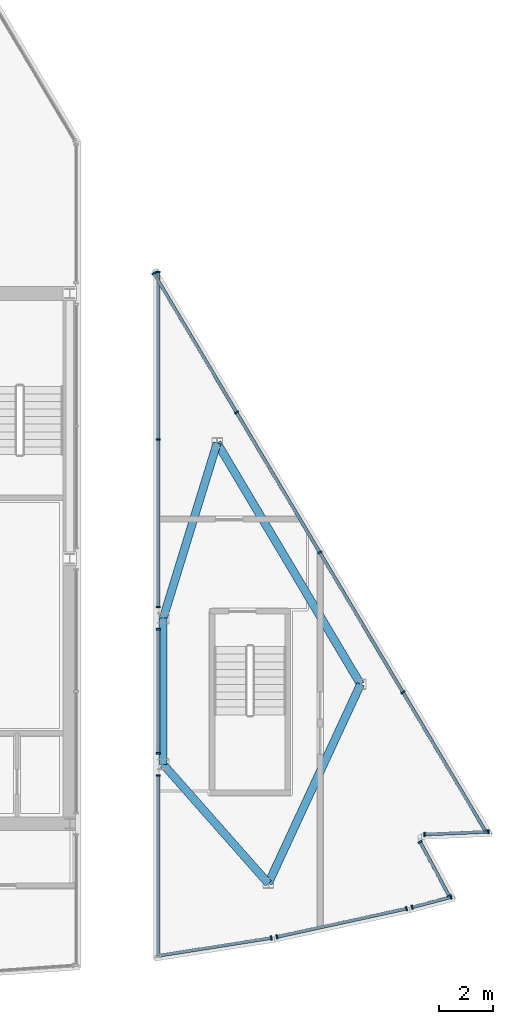
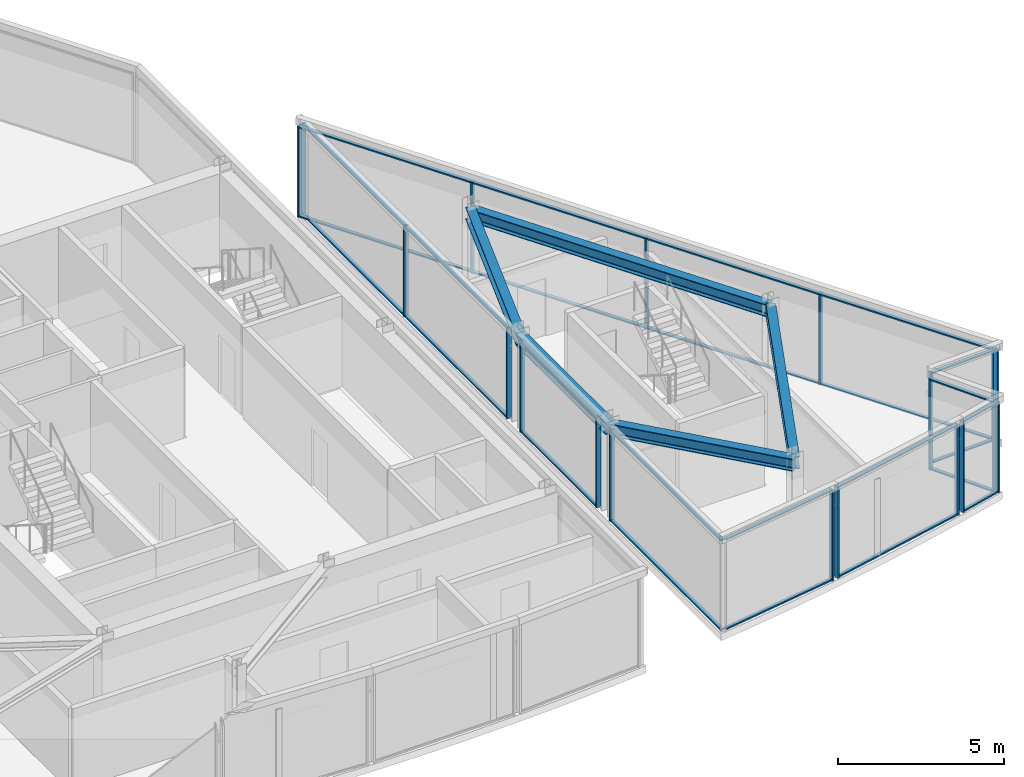
# One storey, part 6 of 15: 46 members, 5 beams, 9 elements without a shape of their own.
"""IFC4 building model written with IfcOpenShell, lengths in metres."""

import ifcopenshell
import ifcopenshell.guid

model = None  # the IFC model being written
_history = None  # IfcOwnerHistory: only IFC2X3 demands one
_inside = {}  # id of a spatial element -> (the spatial element, [elements in it])
_under = {}  # id of a project, library or spatial element -> (it, [spatial elements below it])
_declared = {}  # id of a project -> (the project, [libraries it declares])
_typed = {}  # id of a type object -> (the type object, [elements of that type])
_made_of = {}  # id of a material, layer set ... -> (it, [elements and type objects made of it])


def new_model(schema):
    """Start an empty IFC model of exactly this schema.

    Asked for "IFC4X3", IfcOpenShell would pick the latest addendum, in which some entities
    have other attributes; the version numbers below select the first issue.
    IFC2X3 requires an IfcOwnerHistory on every rooted entity: one is made here for all.
    """
    global model, _history
    if schema == "IFC4X3":
        model = ifcopenshell.file(schema_version=(4, 3, 0, 0))
    else:
        model = ifcopenshell.file(schema=schema)
    _inside.clear()
    _under.clear()
    _declared.clear()
    _typed.clear()
    _made_of.clear()
    _history = None
    if model.schema == "IFC2X3":
        org = make("IfcOrganization", Name="unknown")
        user = make(
            "IfcPersonAndOrganization",
            ThePerson=make("IfcPerson", FamilyName="unknown"),
            TheOrganization=org,
        )
        app = make(
            "IfcApplication",
            ApplicationDeveloper=org,
            Version="unknown",
            ApplicationFullName="unknown",
            ApplicationIdentifier="unknown",
        )
        _history = make(
            "IfcOwnerHistory",
            OwningUser=user,
            OwningApplication=app,
            ChangeAction="ADDED",
            CreationDate=0,
        )
    return model


def make(cls, **values):
    """One entity of the class cls with the attributes given. An attribute that is None is left unset."""
    return model.create_entity(
        cls, **{name: value for name, value in values.items() if value is not None}
    )


def rooted(cls, **values):
    """An entity with a GlobalId (a new one), such as an element, a storey or a relation."""
    return make(cls, GlobalId=ifcopenshell.guid.new(), OwnerHistory=_history, **values)


def si_unit(unit_type, name, prefix=None):
    """IfcSIUnit, for example si_unit("LENGTHUNIT", "METRE", prefix="MILLI")."""
    return make("IfcSIUnit", UnitType=unit_type, Prefix=prefix, Name=name)


def assignment(units):
    """IfcUnitAssignment: the units of a project."""
    return None if units is None else make("IfcUnitAssignment", Units=units)


def point(xyz):
    """IfcCartesianPoint."""
    return None if xyz is None else make("IfcCartesianPoint", Coordinates=xyz)


def direction(xyz):
    """IfcDirection."""
    return None if xyz is None else make("IfcDirection", DirectionRatios=xyz)


def frame(location, z_axis=None, x_axis=None):
    """IfcAxis2Placement3D, a coordinate frame: its origin and axes. An axis left out is left unset."""
    return make(
        "IfcAxis2Placement3D",
        Location=point(location),
        Axis=direction(z_axis),
        RefDirection=direction(x_axis),
    )


def frame_2d(location, x_axis=None):
    """IfcAxis2Placement2D, a coordinate frame in the plane: its origin and x axis."""
    return make(
        "IfcAxis2Placement2D", Location=point(location), RefDirection=direction(x_axis)
    )


def origin():
    """The frame at (0, 0, 0) with its axes left unset."""
    return frame((0.0, 0.0, 0.0))


def origin_2d():
    """The frame at (0, 0) in the plane with its x axis left unset."""
    return frame_2d((0.0, 0.0))


def place(relative_to, where):
    """IfcLocalPlacement: puts the frame where relative to a parent placement (None: the world)."""
    return make(
        "IfcLocalPlacement", PlacementRelTo=relative_to, RelativePlacement=where
    )


def context(
    kind, dimensions, precision=None, world=None, true_north=None, identifier=None
):
    """IfcGeometricRepresentationContext, for example the 3D "Model" context."""
    return make(
        "IfcGeometricRepresentationContext",
        ContextIdentifier=identifier,
        ContextType=kind,
        CoordinateSpaceDimension=dimensions,
        Precision=precision,
        WorldCoordinateSystem=world,
        TrueNorth=true_north,
    )


def subcontext(parent, identifier, kind, view, scale=None):
    """IfcGeometricRepresentationSubContext, for example "Body" below "Model"."""
    return make(
        "IfcGeometricRepresentationSubContext",
        ContextIdentifier=identifier,
        ContextType=kind,
        ParentContext=parent,
        TargetScale=scale,
        TargetView=view,
    )


def project(units=None, contexts=None):
    """IfcProject with its units and contexts."""
    return rooted(
        "IfcProject",
        Name="project",
        RepresentationContexts=contexts,
        UnitsInContext=assignment(units),
    )


def spatial(cls, under=None, at=None, **own):
    """A site, building, storey or space (cls), placed at a placement, below another one or the project."""
    s = rooted(cls, ObjectPlacement=at, **own)
    if under is not None:
        _under.setdefault(under.id(), (under, []))[1].append(s)
    return s


def profile(cls, at=None, kind="AREA", **sizes):
    """A parametric profile (cls). Its sizes go by their IFC names, for example OverallWidth=200.0."""
    return make(cls, ProfileType=kind, Position=at, **sizes)


def rectangle(**sizes):
    """IfcRectangleProfileDef."""
    return profile("IfcRectangleProfileDef", **sizes)


def i_section(**sizes):
    """IfcIShapeProfileDef."""
    return profile("IfcIShapeProfileDef", **sizes)


def extrude(swept, where, along, depth):
    """IfcExtrudedAreaSolid: the profile swept, set in the frame where, extruded along a direction by depth."""
    return make(
        "IfcExtrudedAreaSolid",
        SweptArea=swept,
        Position=where,
        ExtrudedDirection=direction(along),
        Depth=depth,
    )


def shape(context_of_items, identifier, shape_type, items):
    """IfcShapeRepresentation: the items that make up one representation, for example the "Body"."""
    return make(
        "IfcShapeRepresentation",
        ContextOfItems=context_of_items,
        RepresentationIdentifier=identifier,
        RepresentationType=shape_type,
        Items=items,
    )


def material(Name=None, Category=None):
    """IfcMaterial."""
    return make("IfcMaterial", Name=Name, Category=Category)


def material_profile(
    of_material, cross_section, Name=None, Category=None, Priority=None
):
    """IfcMaterialProfile: a cross section and its material."""
    return make(
        "IfcMaterialProfile",
        Name=Name,
        Material=of_material,
        Profile=cross_section,
        Priority=Priority,
        Category=Category,
    )


def profile_set(profiles, Name=None, composite=None):
    """IfcMaterialProfileSet."""
    return make(
        "IfcMaterialProfileSet",
        Name=Name,
        MaterialProfiles=profiles,
        CompositeProfile=composite,
    )


def made_of(thing, what):
    """Note that an element or type object is made of a material, layer set ...; save() writes the relation."""
    if what is not None:
        _made_of.setdefault(what.id(), (what, []))[1].append(thing)
    return thing


def type_object(cls, material=None, **own):
    """A type object (cls), such as IfcWallType, which elements share."""
    return made_of(rooted(cls, **own), material)


def element(
    cls,
    number,
    at=None,
    inside=None,
    cuts=None,
    type_object=None,
    material=None,
    context=None,
    identifier="Body",
    shape_type=None,
    held_by="IfcProductDefinitionShape",
    body=None,
    shapes=None,
    **own,
):
    """One element of the class cls, such as IfcWall. Its Tag is "e" and its number.

    at: its placement. inside: the storey or other place that contains it. cuts: it is an
    opening in that element (IfcRelVoidsElement). A single representation is given by context,
    identifier, shape_type and body (its items); several are given by shapes. held_by: the class
    of the entity that holds the representations. save() writes the other relations.
    """
    e = rooted(cls, Tag="e%d" % number, ObjectPlacement=at, **own)
    if body is not None:
        shapes = [shape(context, identifier, shape_type, body)]
    if shapes is not None:
        e.Representation = make(held_by, Representations=shapes)
    if inside is not None:
        _inside.setdefault(inside.id(), (inside, []))[1].append(e)
    if cuts is not None:
        rooted(
            "IfcRelVoidsElement", RelatingBuildingElement=cuts, RelatedOpeningElement=e
        )
    if type_object is not None:
        _typed.setdefault(type_object.id(), (type_object, []))[1].append(e)
    return made_of(e, material)


def aggregate(whole, parts):
    """IfcRelAggregates: a whole, such as a stair, and the parts it consists of."""
    return rooted("IfcRelAggregates", RelatingObject=whole, RelatedObjects=parts)


def save(model, path):
    """Write the relations noted so far, then the file.

    IfcRelAggregates (storeys below a building ...), IfcRelContainedInSpatialStructure (elements
    in a storey), IfcRelDefinesByType, IfcRelAssociatesMaterial and IfcRelDeclares: one each for
    every whole, place, type object, material and project.
    """
    for whole, parts in _under.values():
        aggregate(whole, parts)
    for where, things in _inside.values():
        rooted(
            "IfcRelContainedInSpatialStructure",
            RelatedElements=things,
            RelatingStructure=where,
        )
    for kind, things in _typed.values():
        rooted("IfcRelDefinesByType", RelatedObjects=things, RelatingType=kind)
    for what, things in _made_of.values():
        rooted("IfcRelAssociatesMaterial", RelatedObjects=things, RelatingMaterial=what)
    for by, libraries in _declared.values():
        rooted("IfcRelDeclares", RelatingContext=by, RelatedDefinitions=libraries)
    model.write(path)


model = new_model("IFC4")

# Units and contexts
model_context = context("Model", 3, precision=1e-05, world=origin(), true_north=direction((0.0, 1.0)))
body_context = subcontext(model_context, "Body", "Model", "MODEL_VIEW")
ifc_project = project(units=[si_unit("LENGTHUNIT", "METRE"), si_unit("AREAUNIT", "SQUARE_METRE"), si_unit("VOLUMEUNIT", "CUBIC_METRE"), si_unit("PLANEANGLEUNIT", "RADIAN"), si_unit("MASSUNIT", "GRAM", prefix="KILO")], contexts=[model_context])

# Site, building, storey
site_placement = place(None, origin())
site = spatial("IfcSite", under=ifc_project, at=site_placement, CompositionType="ELEMENT")
building_placement = place(site_placement, origin())
building = spatial("IfcBuilding", under=site, at=building_placement, Name="Savorim Split Tower", CompositionType="ELEMENT")
storey_placement = place(building_placement, frame((0.0, 0.0, 304.800048828125)))
storey = spatial("IfcBuildingStorey", under=building, at=storey_placement, Name="Crown L81 Plant", CompositionType="ELEMENT", Elevation=304.800048828125)

# Beams
ifc_material_1 = material(Name="Steel S355", Category="steel")
ifc_material_profile_1 = material_profile(ifc_material_1, i_section(OverallWidth=0.300048828125, OverallDepth=0.449951171875, WebThickness=0.013916015625, FlangeThickness=0.02587890625, FilletRadius=0.027099609375, at=origin_2d()), Name="HEB 450")
ifc_profile_set_1 = profile_set([ifc_material_profile_1], Name="Steel S355")
beam_type = type_object("IfcBeamType", Name="BM-PRI-HEB450", PredefinedType="BEAM", material=ifc_profile_set_1)
beam_1_placement = place(storey_placement, frame((11.14990234375, -1.800048828125, 3.114990234375), z_axis=(0.0, -1.0, 0.0), x_axis=(1.0, 0.0, 0.0)))
element("IfcBeam", 1, at=beam_1_placement, inside=storey, type_object=beam_type, Name="Crown L81 Plant East Crown Beam EBG-1", PredefinedType="BEAM", context=body_context, shape_type="SweptSolid", body=[
    extrude(i_section(OverallWidth=0.300048828125, OverallDepth=0.449951171875, WebThickness=0.013916015625, FlangeThickness=0.02587890625, FilletRadius=0.027099609375, at=origin_2d()), origin(), (0.0, 0.0, 1.0), 5.39990234375),
])
beam_2_placement = place(storey_placement, frame((11.14990234375, -7.199951171875, 3.114990234375), z_axis=(0.661950206721, -0.749547812899, 0.0), x_axis=(0.749547812899, 0.661950206721, 0.0)))
element("IfcBeam", 2, at=beam_2_placement, inside=storey, type_object=beam_type, Name="Crown L81 Plant East Crown Beam EBG-2", PredefinedType="BEAM", context=body_context, shape_type="SweptSolid", body=[
    extrude(i_section(OverallWidth=0.300048828125, OverallDepth=0.449951171875, WebThickness=0.013916015625, FlangeThickness=0.02587890625, FilletRadius=0.027099609375, at=origin_2d()), origin(), (0.0, 0.0, 1.0), 5.872314453125),
])
beam_3_placement = place(storey_placement, frame((15.037109375, -11.6015625, 3.114990234375), z_axis=(0.420180016877, 0.9074407713, 0.0), x_axis=(-0.9074407713, 0.420180016877, 0.0)))
element("IfcBeam", 3, at=beam_3_placement, inside=storey, type_object=beam_type, Name="Crown L81 Plant East Crown Beam EBG-3", PredefinedType="BEAM", context=body_context, shape_type="SweptSolid", body=[
    extrude(i_section(OverallWidth=0.300048828125, OverallDepth=0.449951171875, WebThickness=0.013916015625, FlangeThickness=0.02587890625, FilletRadius=0.027099609375, at=origin_2d()), origin(), (0.0, 0.0, 1.0), 8.112548828125),
])
beam_4_placement = place(storey_placement, frame((18.44580078125, -4.239990234375, 3.114990234375), z_axis=(-0.511103121152, 0.859519400333, 0.0), x_axis=(-0.859519400333, -0.511103121152, 0.0)))
element("IfcBeam", 4, at=beam_4_placement, inside=storey, type_object=beam_type, Name="Crown L81 Plant East Crown Beam EBG-4", PredefinedType="BEAM", context=body_context, shape_type="SweptSolid", body=[
    extrude(i_section(OverallWidth=0.300048828125, OverallDepth=0.449951171875, WebThickness=0.013916015625, FlangeThickness=0.02587890625, FilletRadius=0.027099609375, at=origin_2d()), origin(), (0.0, 0.0, 1.0), 10.372802734375),
])
beam_5_placement = place(storey_placement, frame((11.14990234375, -1.800048828125, 3.114990234375), z_axis=(0.294341564788, 0.955700289441, 0.0), x_axis=(-0.955700289441, 0.294341564788, 0.0)))
element("IfcBeam", 5, at=beam_5_placement, inside=storey, type_object=beam_type, Name="Crown L81 Plant East Crown Perimeter Tie Beam", PredefinedType="BEAM", context=body_context, shape_type="SweptSolid", body=[
    extrude(i_section(OverallWidth=0.300048828125, OverallDepth=0.449951171875, WebThickness=0.013916015625, FlangeThickness=0.02587890625, FilletRadius=0.027099609375, at=origin_2d()), origin(), (0.0, 0.0, 1.0), 6.775634765625),
])

# Curtain wall, members
ifc_material_2 = material(Name="Dark Ceramic-Fritted Insulated Glass", Category="glass")
curtain_wall_type = type_object("IfcCurtainWallType", Name="CW-CROWN-CREST", PredefinedType="NOTDEFINED", material=ifc_material_2)
curtain_wall_1_placement = place(storey_placement, origin())
curtain_wall_1 = element("IfcCurtainWall", 6, at=curtain_wall_1_placement, inside=storey, type_object=curtain_wall_type, Name="Crown L81 Plant Curtain Wall CW-Crown-L81-Plant-E1AS1", PredefinedType="NOTDEFINED")
ifc_material_3 = material(Name="Charcoal Anodised Aluminium", Category="aluminium")
ifc_material_profile_2 = material_profile(ifc_material_3, rectangle(XDim=0.159912109375, YDim=0.06005859375, at=origin_2d()), Name="ALU-M 160x60")
ifc_profile_set_2 = profile_set([ifc_material_profile_2], Name="Charcoal Anodised Aluminium")
member_type_1 = type_object("IfcMemberType", Name="CWM-160x60", PredefinedType="MULLION", material=ifc_profile_set_2)
member_1_placement = place(storey_placement, frame((10.969970703125, 10.99365234375, 0.0), z_axis=(0.0, 0.0, 1.0), x_axis=(1.0, 0.0, 0.0)))
member_1 = element("IfcMember", 7, at=member_1_placement, type_object=member_type_1, Name="CW-07 mullion 1", PredefinedType="MULLION", context=body_context, shape_type="SweptSolid", body=[
    extrude(rectangle(XDim=0.159912109375, YDim=0.06005859375, at=origin_2d()), origin(), (0.0, 0.0, 1.0), 3.33984375),
])
member_2_placement = place(storey_placement, frame((10.969970703125, 4.8017578125, 0.0), z_axis=(0.0, 0.0, 1.0), x_axis=(1.0, 0.0, 0.0)))
member_2 = element("IfcMember", 8, at=member_2_placement, type_object=member_type_1, Name="CW-07 mullion 2", PredefinedType="MULLION", context=body_context, shape_type="SweptSolid", body=[
    extrude(rectangle(XDim=0.159912109375, YDim=0.06005859375, at=origin_2d()), origin(), (0.0, 0.0, 1.0), 3.33984375),
])
member_3_placement = place(storey_placement, frame((10.969970703125, -1.389892578125, 0.0), z_axis=(0.0, 0.0, 1.0), x_axis=(1.0, 0.0, 0.0)))
member_3 = element("IfcMember", 9, at=member_3_placement, type_object=member_type_1, Name="CW-07 mullion 3", PredefinedType="MULLION", context=body_context, shape_type="SweptSolid", body=[
    extrude(rectangle(XDim=0.159912109375, YDim=0.06005859375, at=origin_2d()), origin(), (0.0, 0.0, 1.0), 3.33984375),
])

curtain_wall_2_placement = place(storey_placement, origin())
curtain_wall_2 = element("IfcCurtainWall", 10, at=curtain_wall_2_placement, inside=storey, type_object=curtain_wall_type, Name="Crown L81 Plant Curtain Wall CW-Crown-L81-Plant-E1AS2", PredefinedType="NOTDEFINED")
member_4_placement = place(storey_placement, frame((10.969970703125, -2.2099609375, 0.0), z_axis=(0.0, 0.0, 1.0), x_axis=(1.0, 0.0, 0.0)))
member_4 = element("IfcMember", 11, at=member_4_placement, type_object=member_type_1, Name="CW-07 mullion 1", PredefinedType="MULLION", context=body_context, shape_type="SweptSolid", body=[
    extrude(rectangle(XDim=0.159912109375, YDim=0.06005859375, at=origin_2d()), origin(), (0.0, 0.0, 1.0), 3.33984375),
])
member_5_placement = place(storey_placement, frame((10.969970703125, -6.7900390625, 0.0), z_axis=(0.0, 0.0, 1.0), x_axis=(1.0, 0.0, 0.0)))
member_5 = element("IfcMember", 12, at=member_5_placement, type_object=member_type_1, Name="CW-07 mullion 2", PredefinedType="MULLION", context=body_context, shape_type="SweptSolid", body=[
    extrude(rectangle(XDim=0.159912109375, YDim=0.06005859375, at=origin_2d()), origin(), (0.0, 0.0, 1.0), 3.33984375),
])

# Curtain wall, member
curtain_wall_3_placement = place(storey_placement, origin())
curtain_wall_3 = element("IfcCurtainWall", 13, at=curtain_wall_3_placement, inside=storey, type_object=curtain_wall_type, Name="Crown L81 Plant Curtain Wall CW-Crown-L81-Plant-E1AS3", PredefinedType="NOTDEFINED")
member_6_placement = place(storey_placement, frame((10.969970703125, -7.610107421875, 0.0), z_axis=(0.0, 0.0, 1.0), x_axis=(1.0, 0.0, 0.0)))
member_6 = element("IfcMember", 14, at=member_6_placement, type_object=member_type_1, Name="CW-07 mullion 1", PredefinedType="MULLION", context=body_context, shape_type="SweptSolid", body=[
    extrude(rectangle(XDim=0.159912109375, YDim=0.06005859375, at=origin_2d()), origin(), (0.0, 0.0, 1.0), 3.33984375),
])

curtain_wall_4_placement = place(storey_placement, origin())
curtain_wall_4 = element("IfcCurtainWall", 15, at=curtain_wall_4_placement, inside=storey, type_object=curtain_wall_type, Name="Crown L81 Plant Curtain Wall CW-Crown-L81-Plant-E2A", PredefinedType="NOTDEFINED")
member_7_placement = place(storey_placement, frame((15.145263671875, -13.616943359375, 0.0), z_axis=(0.0, 0.0, 1.0), x_axis=(-0.155784582013, 0.987791052808, 0.0)))
member_7 = element("IfcMember", 16, at=member_7_placement, type_object=member_type_1, Name="CW-07 mullion 2", PredefinedType="MULLION", context=body_context, shape_type="SweptSolid", body=[
    extrude(rectangle(XDim=0.159912109375, YDim=0.06005859375, at=origin_2d()), origin(), (0.0, 0.0, 1.0), 3.33984375),
])

# Curtain wall, members
curtain_wall_5_placement = place(storey_placement, origin())
curtain_wall_5 = element("IfcCurtainWall", 17, at=curtain_wall_5_placement, inside=storey, type_object=curtain_wall_type, Name="Crown L81 Plant Curtain Wall CW-Crown-L81-Plant-E3A", PredefinedType="NOTDEFINED")
member_8_placement = place(storey_placement, frame((15.3544921875, -13.57763671875, 0.0), z_axis=(0.0, 0.0, 1.0), x_axis=(-0.213207322841, 0.977006979242, 0.0)))
member_8 = element("IfcMember", 18, at=member_8_placement, type_object=member_type_1, Name="CW-07 mullion 1", PredefinedType="MULLION", context=body_context, shape_type="SweptSolid", body=[
    extrude(rectangle(XDim=0.159912109375, YDim=0.06005859375, at=origin_2d()), origin(), (0.0, 0.0, 1.0), 3.33984375),
])
member_9_placement = place(storey_placement, frame((20.140869140625, -12.533203125, 0.0), z_axis=(0.0, 0.0, 1.0), x_axis=(-0.213207322841, 0.977006979242, 0.0)))
member_9 = element("IfcMember", 19, at=member_9_placement, type_object=member_type_1, Name="CW-07 mullion 2", PredefinedType="MULLION", context=body_context, shape_type="SweptSolid", body=[
    extrude(rectangle(XDim=0.159912109375, YDim=0.06005859375, at=origin_2d()), origin(), (0.0, 0.0, 1.0), 3.33984375),
])

curtain_wall_6_placement = place(storey_placement, origin())
curtain_wall_6 = element("IfcCurtainWall", 20, at=curtain_wall_6_placement, inside=storey, type_object=curtain_wall_type, Name="Crown L81 Plant Curtain Wall CW-Crown-L81-Plant-E4A", PredefinedType="NOTDEFINED")
member_10_placement = place(storey_placement, frame((20.349853515625, -12.483154296875, 0.0), z_axis=(0.0, 0.0, 1.0), x_axis=(-0.253079884693, 0.967445384486, 0.0)))
member_10 = element("IfcMember", 21, at=member_10_placement, type_object=member_type_1, Name="CW-07 mullion 1", PredefinedType="MULLION", context=body_context, shape_type="SweptSolid", body=[
    extrude(rectangle(XDim=0.159912109375, YDim=0.06005859375, at=origin_2d()), origin(), (0.0, 0.0, 1.0), 3.33984375),
])
member_11_placement = place(storey_placement, frame((21.7880859375, -12.10693359375, 0.0), z_axis=(0.0, 0.0, 1.0), x_axis=(-0.253079884693, 0.967445384486, 0.0)))
member_11 = element("IfcMember", 22, at=member_11_placement, type_object=member_type_1, Name="CW-07 mullion 2", PredefinedType="MULLION", context=body_context, shape_type="SweptSolid", body=[
    extrude(rectangle(XDim=0.159912109375, YDim=0.06005859375, at=origin_2d()), origin(), (0.0, 0.0, 1.0), 3.33984375),
])

curtain_wall_7_placement = place(storey_placement, origin())
curtain_wall_7 = element("IfcCurtainWall", 23, at=curtain_wall_7_placement, inside=storey, type_object=curtain_wall_type, Name="Crown L81 Plant Curtain Wall CW-Crown-L81-Plant-E5A", PredefinedType="NOTDEFINED")
member_12_placement = place(storey_placement, frame((21.717529296875, -12.0625, 0.0), z_axis=(0.0, 0.0, 1.0), x_axis=(-0.881165958988, -0.472807098847, 0.0)))
member_12 = element("IfcMember", 24, at=member_12_placement, type_object=member_type_1, Name="CW-07 mullion 1", PredefinedType="MULLION", context=body_context, shape_type="SweptSolid", body=[
    extrude(rectangle(XDim=0.159912109375, YDim=0.06005859375, at=origin_2d()), origin(), (0.0, 0.0, 1.0), 3.33984375),
])
member_13_placement = place(storey_placement, frame((20.648193359375, -10.06982421875, 0.0), z_axis=(0.0, 0.0, 1.0), x_axis=(-0.881165958988, -0.472807098847, 0.0)))
member_13 = element("IfcMember", 25, at=member_13_placement, type_object=member_type_1, Name="CW-07 mullion 2", PredefinedType="MULLION", context=body_context, shape_type="SweptSolid", body=[
    extrude(rectangle(XDim=0.159912109375, YDim=0.06005859375, at=origin_2d()), origin(), (0.0, 0.0, 1.0), 3.33984375),
])

curtain_wall_8_placement = place(storey_placement, origin())
curtain_wall_8 = element("IfcCurtainWall", 26, at=curtain_wall_8_placement, inside=storey, type_object=curtain_wall_type, Name="Crown L81 Plant Curtain Wall CW-Crown-L81-Plant-E6A", PredefinedType="NOTDEFINED")
member_14_placement = place(storey_placement, frame((20.806884765625, -9.791748046875, 0.0), z_axis=(0.0, 0.0, 1.0), x_axis=(-0.042533116038, 0.99909505756, 0.0)))
member_14 = element("IfcMember", 27, at=member_14_placement, type_object=member_type_1, Name="CW-07 mullion 1", PredefinedType="MULLION", context=body_context, shape_type="SweptSolid", body=[
    extrude(rectangle(XDim=0.159912109375, YDim=0.06005859375, at=origin_2d()), origin(), (0.0, 0.0, 1.0), 3.33984375),
])
member_15_placement = place(storey_placement, frame((23.168701171875, -9.691162109375, 0.0), z_axis=(0.0, 0.0, 1.0), x_axis=(-0.042533116038, 0.99909505756, 0.0)))
member_15 = element("IfcMember", 28, at=member_15_placement, type_object=member_type_1, Name="CW-07 mullion 2", PredefinedType="MULLION", context=body_context, shape_type="SweptSolid", body=[
    extrude(rectangle(XDim=0.159912109375, YDim=0.06005859375, at=origin_2d()), origin(), (0.0, 0.0, 1.0), 3.33984375),
])

curtain_wall_9_placement = place(storey_placement, origin())
curtain_wall_9 = element("IfcCurtainWall", 29, at=curtain_wall_9_placement, inside=storey, type_object=curtain_wall_type, Name="Crown L81 Plant Curtain Wall CW-Crown-L81-Plant-E7A", PredefinedType="NOTDEFINED")
member_16_placement = place(storey_placement, frame((23.070556640625, -9.68310546875, 0.0), z_axis=(0.0, 0.0, 1.0), x_axis=(-0.859524638098, -0.511094312728, 0.0)))
member_16 = element("IfcMember", 30, at=member_16_placement, type_object=member_type_1, Name="CW-07 mullion 1", PredefinedType="MULLION", context=body_context, shape_type="SweptSolid", body=[
    extrude(rectangle(XDim=0.159912109375, YDim=0.06005859375, at=origin_2d()), origin(), (0.0, 0.0, 1.0), 3.33984375),
])
member_17_placement = place(storey_placement, frame((20.01123046875, -4.538330078125, 0.0), z_axis=(0.0, 0.0, 1.0), x_axis=(-0.859524638098, -0.511094312728, 0.0)))
member_17 = element("IfcMember", 31, at=member_17_placement, type_object=member_type_1, Name="CW-07 mullion 2", PredefinedType="MULLION", context=body_context, shape_type="SweptSolid", body=[
    extrude(rectangle(XDim=0.159912109375, YDim=0.06005859375, at=origin_2d()), origin(), (0.0, 0.0, 1.0), 3.33984375),
])
member_18_placement = place(storey_placement, frame((16.936767578125, 0.63232421875, 0.0), z_axis=(0.0, 0.0, 1.0), x_axis=(-0.859524638098, -0.511094312728, 0.0)))
member_18 = element("IfcMember", 32, at=member_18_placement, type_object=member_type_1, Name="CW-07 mullion 3", PredefinedType="MULLION", context=body_context, shape_type="SweptSolid", body=[
    extrude(rectangle(XDim=0.159912109375, YDim=0.06005859375, at=origin_2d()), origin(), (0.0, 0.0, 1.0), 3.33984375),
])
member_19_placement = place(storey_placement, frame((13.8623046875, 5.802978515625, 0.0), z_axis=(0.0, 0.0, 1.0), x_axis=(-0.859524638098, -0.511094312728, 0.0)))
member_19 = element("IfcMember", 33, at=member_19_placement, type_object=member_type_1, Name="CW-07 mullion 4", PredefinedType="MULLION", context=body_context, shape_type="SweptSolid", body=[
    extrude(rectangle(XDim=0.159912109375, YDim=0.06005859375, at=origin_2d()), origin(), (0.0, 0.0, 1.0), 3.33984375),
])
member_20_placement = place(storey_placement, frame((10.802978515625, 10.94775390625, 0.0), z_axis=(0.0, 0.0, 1.0), x_axis=(-0.859524638098, -0.511094312728, 0.0)))
member_20 = element("IfcMember", 34, at=member_20_placement, type_object=member_type_1, Name="CW-07 mullion 5", PredefinedType="MULLION", context=body_context, shape_type="SweptSolid", body=[
    extrude(rectangle(XDim=0.159912109375, YDim=0.06005859375, at=origin_2d()), origin(), (0.0, 0.0, 1.0), 3.33984375),
])

# Member
ifc_material_profile_3 = material_profile(ifc_material_3, rectangle(XDim=0.1201171875, YDim=0.050048828125, at=origin_2d()), Name="ALU-T 120x50")
ifc_profile_set_3 = profile_set([ifc_material_profile_3], Name="Charcoal Anodised Aluminium")
member_type_2 = type_object("IfcMemberType", Name="CWT-120x50", PredefinedType="USERDEFINED", material=ifc_profile_set_3)
member_21_placement = place(storey_placement, frame((10.969970703125, 10.963623046875, 0.02490234375), z_axis=(0.0, -1.0, 0.0), x_axis=(1.0, 0.0, 0.0)))
member_21 = element("IfcMember", 35, at=member_21_placement, type_object=member_type_2, Name="CW-07 transom 1.1", ObjectType="TRANSOM", PredefinedType="USERDEFINED", context=body_context, shape_type="SweptSolid", body=[
    extrude(rectangle(XDim=0.1201171875, YDim=0.050048828125, at=origin_2d()), origin(), (0.0, 0.0, 1.0), 6.1318359375),
])

member_22_placement = place(storey_placement, frame((10.969970703125, 10.963623046875, 3.31494140625), z_axis=(0.0, -1.0, 0.0), x_axis=(1.0, 0.0, 0.0)))
member_22 = element("IfcMember", 36, at=member_22_placement, type_object=member_type_2, Name="CW-07 transom 1.2", ObjectType="TRANSOM", PredefinedType="USERDEFINED", context=body_context, shape_type="SweptSolid", body=[
    extrude(rectangle(XDim=0.1201171875, YDim=0.050048828125, at=origin_2d()), origin(), (0.0, 0.0, 1.0), 6.1318359375),
])

member_23_placement = place(storey_placement, frame((10.969970703125, 4.771728515625, 0.02490234375), z_axis=(0.0, -1.0, 0.0), x_axis=(1.0, 0.0, 0.0)))
member_23 = element("IfcMember", 37, at=member_23_placement, type_object=member_type_2, Name="CW-07 transom 2.1", ObjectType="TRANSOM", PredefinedType="USERDEFINED", context=body_context, shape_type="SweptSolid", body=[
    extrude(rectangle(XDim=0.1201171875, YDim=0.050048828125, at=origin_2d()), origin(), (0.0, 0.0, 1.0), 6.1318359375),
])

member_24_placement = place(storey_placement, frame((10.969970703125, 4.771728515625, 3.31494140625), z_axis=(0.0, -1.0, 0.0), x_axis=(1.0, 0.0, 0.0)))
member_24 = element("IfcMember", 38, at=member_24_placement, type_object=member_type_2, Name="CW-07 transom 2.2", ObjectType="TRANSOM", PredefinedType="USERDEFINED", context=body_context, shape_type="SweptSolid", body=[
    extrude(rectangle(XDim=0.1201171875, YDim=0.050048828125, at=origin_2d()), origin(), (0.0, 0.0, 1.0), 6.1318359375),
])

aggregate(curtain_wall_1, [member_1, member_2, member_3, member_21, member_22, member_23, member_24])

member_25_placement = place(storey_placement, frame((10.969970703125, -2.239990234375, 0.02490234375), z_axis=(0.0, -1.0, 0.0), x_axis=(1.0, 0.0, 0.0)))
member_25 = element("IfcMember", 39, at=member_25_placement, type_object=member_type_2, Name="CW-07 transom 1.1", ObjectType="TRANSOM", PredefinedType="USERDEFINED", context=body_context, shape_type="SweptSolid", body=[
    extrude(rectangle(XDim=0.1201171875, YDim=0.050048828125, at=origin_2d()), origin(), (0.0, 0.0, 1.0), 4.52001953125),
])

member_26_placement = place(storey_placement, frame((10.969970703125, -2.239990234375, 3.31494140625), z_axis=(0.0, -1.0, 0.0), x_axis=(1.0, 0.0, 0.0)))
member_26 = element("IfcMember", 40, at=member_26_placement, type_object=member_type_2, Name="CW-07 transom 1.2", ObjectType="TRANSOM", PredefinedType="USERDEFINED", context=body_context, shape_type="SweptSolid", body=[
    extrude(rectangle(XDim=0.1201171875, YDim=0.050048828125, at=origin_2d()), origin(), (0.0, 0.0, 1.0), 4.52001953125),
])

aggregate(curtain_wall_2, [member_4, member_5, member_25, member_26])

member_27_placement = place(storey_placement, frame((10.969970703125, -7.639892578125, 0.02490234375), z_axis=(0.0, -1.0, 0.0), x_axis=(1.0, 0.0, 0.0)))
member_27 = element("IfcMember", 41, at=member_27_placement, type_object=member_type_2, Name="CW-07 transom 1.1", ObjectType="TRANSOM", PredefinedType="USERDEFINED", context=body_context, shape_type="SweptSolid", body=[
    extrude(rectangle(XDim=0.1201171875, YDim=0.050048828125, at=origin_2d()), origin(), (0.0, 0.0, 1.0), 6.635986328125),
])

member_28_placement = place(storey_placement, frame((10.969970703125, -7.639892578125, 3.31494140625), z_axis=(0.0, -1.0, 0.0), x_axis=(1.0, 0.0, 0.0)))
member_28 = element("IfcMember", 42, at=member_28_placement, type_object=member_type_2, Name="CW-07 transom 1.2", ObjectType="TRANSOM", PredefinedType="USERDEFINED", context=body_context, shape_type="SweptSolid", body=[
    extrude(rectangle(XDim=0.1201171875, YDim=0.050048828125, at=origin_2d()), origin(), (0.0, 0.0, 1.0), 6.635986328125),
])

aggregate(curtain_wall_3, [member_6, member_27, member_28])

member_29_placement = place(storey_placement, frame((11.0732421875, -14.259033203125, 0.02490234375), z_axis=(0.98779293838, 0.155772625603, 0.0), x_axis=(-0.155772625603, 0.98779293838, 0.0)))
member_29 = element("IfcMember", 43, at=member_29_placement, type_object=member_type_2, Name="CW-07 transom 1.1", ObjectType="TRANSOM", PredefinedType="USERDEFINED", context=body_context, shape_type="SweptSolid", body=[
    extrude(rectangle(XDim=0.1201171875, YDim=0.050048828125, at=origin_2d()), origin(), (0.0, 0.0, 1.0), 4.09228515625),
])

member_30_placement = place(storey_placement, frame((11.0732421875, -14.259033203125, 3.31494140625), z_axis=(0.98779293838, 0.155772625603, 0.0), x_axis=(-0.155772625603, 0.98779293838, 0.0)))
member_30 = element("IfcMember", 44, at=member_30_placement, type_object=member_type_2, Name="CW-07 transom 1.2", ObjectType="TRANSOM", PredefinedType="USERDEFINED", context=body_context, shape_type="SweptSolid", body=[
    extrude(rectangle(XDim=0.1201171875, YDim=0.050048828125, at=origin_2d()), origin(), (0.0, 0.0, 1.0), 4.09228515625),
])

aggregate(curtain_wall_4, [member_7, member_29, member_30])

member_31_placement = place(storey_placement, frame((15.3837890625, -13.5712890625, 0.02490234375), z_axis=(0.97700620811, 0.213210856466, 0.0), x_axis=(-0.213210856466, 0.97700620811, 0.0)))
member_31 = element("IfcMember", 45, at=member_31_placement, type_object=member_type_2, Name="CW-07 transom 1.1", ObjectType="TRANSOM", PredefinedType="USERDEFINED", context=body_context, shape_type="SweptSolid", body=[
    extrude(rectangle(XDim=0.1201171875, YDim=0.050048828125, at=origin_2d()), origin(), (0.0, 0.0, 1.0), 4.839111328125),
])

member_32_placement = place(storey_placement, frame((15.3837890625, -13.5712890625, 3.31494140625), z_axis=(0.97700620811, 0.213210856466, 0.0), x_axis=(-0.213210856466, 0.97700620811, 0.0)))
member_32 = element("IfcMember", 46, at=member_32_placement, type_object=member_type_2, Name="CW-07 transom 1.2", ObjectType="TRANSOM", PredefinedType="USERDEFINED", context=body_context, shape_type="SweptSolid", body=[
    extrude(rectangle(XDim=0.1201171875, YDim=0.050048828125, at=origin_2d()), origin(), (0.0, 0.0, 1.0), 4.839111328125),
])

aggregate(curtain_wall_5, [member_8, member_9, member_31, member_32])

member_33_placement = place(storey_placement, frame((20.37890625, -12.4755859375, 0.02490234375), z_axis=(0.967437105639, 0.253111530027, 0.0), x_axis=(-0.253111530027, 0.967437105639, 0.0)))
member_33 = element("IfcMember", 47, at=member_33_placement, type_object=member_type_2, Name="CW-07 transom 1.1", ObjectType="TRANSOM", PredefinedType="USERDEFINED", context=body_context, shape_type="SweptSolid", body=[
    extrude(rectangle(XDim=0.1201171875, YDim=0.050048828125, at=origin_2d()), origin(), (0.0, 0.0, 1.0), 1.426513671875),
])

member_34_placement = place(storey_placement, frame((20.37890625, -12.4755859375, 3.31494140625), z_axis=(0.967437105639, 0.253111530027, 0.0), x_axis=(-0.253111530027, 0.967437105639, 0.0)))
member_34 = element("IfcMember", 48, at=member_34_placement, type_object=member_type_2, Name="CW-07 transom 1.2", ObjectType="TRANSOM", PredefinedType="USERDEFINED", context=body_context, shape_type="SweptSolid", body=[
    extrude(rectangle(XDim=0.1201171875, YDim=0.050048828125, at=origin_2d()), origin(), (0.0, 0.0, 1.0), 1.426513671875),
])

aggregate(curtain_wall_6, [member_10, member_11, member_33, member_34])

member_35_placement = place(storey_placement, frame((21.703125, -12.0361328125, 0.02490234375), z_axis=(-0.472803002327, 0.881168157045, 0.0), x_axis=(-0.881168157045, -0.472803002327, 0.0)))
member_35 = element("IfcMember", 49, at=member_35_placement, type_object=member_type_2, Name="CW-07 transom 1.1", ObjectType="TRANSOM", PredefinedType="USERDEFINED", context=body_context, shape_type="SweptSolid", body=[
    extrude(rectangle(XDim=0.1201171875, YDim=0.050048828125, at=origin_2d()), origin(), (0.0, 0.0, 1.0), 2.201171875),
])

member_36_placement = place(storey_placement, frame((21.703125, -12.0361328125, 3.31494140625), z_axis=(-0.472803002327, 0.881168157045, 0.0), x_axis=(-0.881168157045, -0.472803002327, 0.0)))
member_36 = element("IfcMember", 50, at=member_36_placement, type_object=member_type_2, Name="CW-07 transom 1.2", ObjectType="TRANSOM", PredefinedType="USERDEFINED", context=body_context, shape_type="SweptSolid", body=[
    extrude(rectangle(XDim=0.1201171875, YDim=0.050048828125, at=origin_2d()), origin(), (0.0, 0.0, 1.0), 2.201171875),
])

aggregate(curtain_wall_7, [member_12, member_13, member_35, member_36])

member_37_placement = place(storey_placement, frame((20.836669921875, -9.79052734375, 0.02490234375), z_axis=(0.999092390003, 0.042595730277, 0.0), x_axis=(-0.042595730277, 0.999092390003, 0.0)))
member_37 = element("IfcMember", 51, at=member_37_placement, type_object=member_type_2, Name="CW-07 transom 1.1", ObjectType="TRANSOM", PredefinedType="USERDEFINED", context=body_context, shape_type="SweptSolid", body=[
    extrude(rectangle(XDim=0.1201171875, YDim=0.050048828125, at=origin_2d()), origin(), (0.0, 0.0, 1.0), 2.30419921875),
])

member_38_placement = place(storey_placement, frame((20.836669921875, -9.79052734375, 3.31494140625), z_axis=(0.999092390003, 0.042595730277, 0.0), x_axis=(-0.042595730277, 0.999092390003, 0.0)))
member_38 = element("IfcMember", 52, at=member_38_placement, type_object=member_type_2, Name="CW-07 transom 1.2", ObjectType="TRANSOM", PredefinedType="USERDEFINED", context=body_context, shape_type="SweptSolid", body=[
    extrude(rectangle(XDim=0.1201171875, YDim=0.050048828125, at=origin_2d()), origin(), (0.0, 0.0, 1.0), 2.30419921875),
])

aggregate(curtain_wall_8, [member_14, member_15, member_37, member_38])

member_39_placement = place(storey_placement, frame((23.05517578125, -9.6572265625, 0.02490234375), z_axis=(-0.511092668984, 0.859525615506, 0.0), x_axis=(-0.859525615506, -0.511092668984, 0.0)))
member_39 = element("IfcMember", 53, at=member_39_placement, type_object=member_type_2, Name="CW-07 transom 1.1", ObjectType="TRANSOM", PredefinedType="USERDEFINED", context=body_context, shape_type="SweptSolid", body=[
    extrude(rectangle(XDim=0.1201171875, YDim=0.050048828125, at=origin_2d()), origin(), (0.0, 0.0, 1.0), 5.92578125),
])

member_40_placement = place(storey_placement, frame((23.05517578125, -9.6572265625, 3.31494140625), z_axis=(-0.511092668984, 0.859525615506, 0.0), x_axis=(-0.859525615506, -0.511092668984, 0.0)))
member_40 = element("IfcMember", 54, at=member_40_placement, type_object=member_type_2, Name="CW-07 transom 1.2", ObjectType="TRANSOM", PredefinedType="USERDEFINED", context=body_context, shape_type="SweptSolid", body=[
    extrude(rectangle(XDim=0.1201171875, YDim=0.050048828125, at=origin_2d()), origin(), (0.0, 0.0, 1.0), 5.92578125),
])

member_41_placement = place(storey_placement, frame((19.99609375, -4.512451171875, 0.02490234375), z_axis=(-0.511109771448, 0.859515445778, 0.0), x_axis=(-0.859515445778, -0.511109771448, 0.0)))
member_41 = element("IfcMember", 55, at=member_41_placement, type_object=member_type_2, Name="CW-07 transom 2.1", ObjectType="TRANSOM", PredefinedType="USERDEFINED", context=body_context, shape_type="SweptSolid", body=[
    extrude(rectangle(XDim=0.1201171875, YDim=0.050048828125, at=origin_2d()), origin(), (0.0, 0.0, 1.0), 5.95556640625),
])

member_42_placement = place(storey_placement, frame((19.99609375, -4.512451171875, 3.31494140625), z_axis=(-0.511109771448, 0.859515445778, 0.0), x_axis=(-0.859515445778, -0.511109771448, 0.0)))
member_42 = element("IfcMember", 56, at=member_42_placement, type_object=member_type_2, Name="CW-07 transom 2.2", ObjectType="TRANSOM", PredefinedType="USERDEFINED", context=body_context, shape_type="SweptSolid", body=[
    extrude(rectangle(XDim=0.1201171875, YDim=0.050048828125, at=origin_2d()), origin(), (0.0, 0.0, 1.0), 5.95556640625),
])

member_43_placement = place(storey_placement, frame((16.92138671875, 0.658203125, 0.02490234375), z_axis=(-0.511079485693, 0.859533454441, 0.0), x_axis=(-0.859533454441, -0.511079485693, 0.0)))
member_43 = element("IfcMember", 57, at=member_43_placement, type_object=member_type_2, Name="CW-07 transom 3.1", ObjectType="TRANSOM", PredefinedType="USERDEFINED", context=body_context, shape_type="SweptSolid", body=[
    extrude(rectangle(XDim=0.1201171875, YDim=0.050048828125, at=origin_2d()), origin(), (0.0, 0.0, 1.0), 5.955322265625),
])

member_44_placement = place(storey_placement, frame((16.92138671875, 0.658203125, 3.31494140625), z_axis=(-0.511079485693, 0.859533454441, 0.0), x_axis=(-0.859533454441, -0.511079485693, 0.0)))
member_44 = element("IfcMember", 58, at=member_44_placement, type_object=member_type_2, Name="CW-07 transom 3.2", ObjectType="TRANSOM", PredefinedType="USERDEFINED", context=body_context, shape_type="SweptSolid", body=[
    extrude(rectangle(XDim=0.1201171875, YDim=0.050048828125, at=origin_2d()), origin(), (0.0, 0.0, 1.0), 5.955322265625),
])

member_45_placement = place(storey_placement, frame((13.846923828125, 5.82861328125, 0.02490234375), z_axis=(-0.511092668984, 0.859525615506, 0.0), x_axis=(-0.859525615506, -0.511092668984, 0.0)))
member_45 = element("IfcMember", 59, at=member_45_placement, type_object=member_type_2, Name="CW-07 transom 4.1", ObjectType="TRANSOM", PredefinedType="USERDEFINED", context=body_context, shape_type="SweptSolid", body=[
    extrude(rectangle(XDim=0.1201171875, YDim=0.050048828125, at=origin_2d()), origin(), (0.0, 0.0, 1.0), 5.92578125),
])

member_46_placement = place(storey_placement, frame((13.846923828125, 5.82861328125, 3.31494140625), z_axis=(-0.511092668984, 0.859525615506, 0.0), x_axis=(-0.859525615506, -0.511092668984, 0.0)))
member_46 = element("IfcMember", 60, at=member_46_placement, type_object=member_type_2, Name="CW-07 transom 4.2", ObjectType="TRANSOM", PredefinedType="USERDEFINED", context=body_context, shape_type="SweptSolid", body=[
    extrude(rectangle(XDim=0.1201171875, YDim=0.050048828125, at=origin_2d()), origin(), (0.0, 0.0, 1.0), 5.92578125),
])

aggregate(curtain_wall_9, [member_16, member_17, member_18, member_19, member_20, member_39, member_40, member_41, member_42, member_43, member_44, member_45, member_46])

save(model, "model.ifc")
